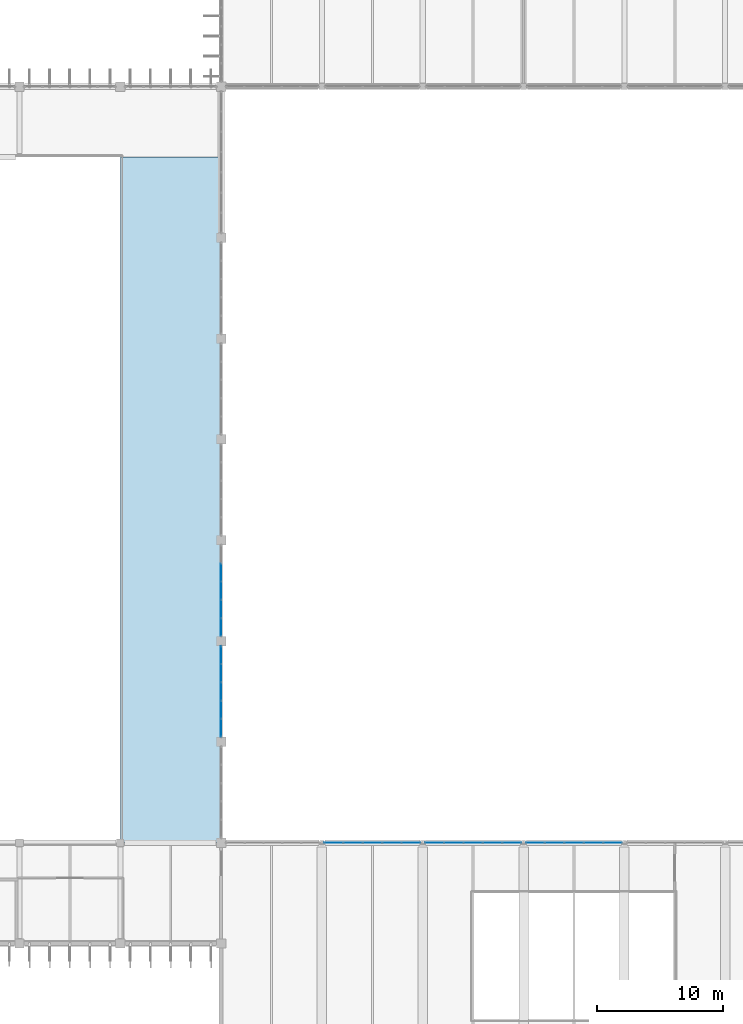
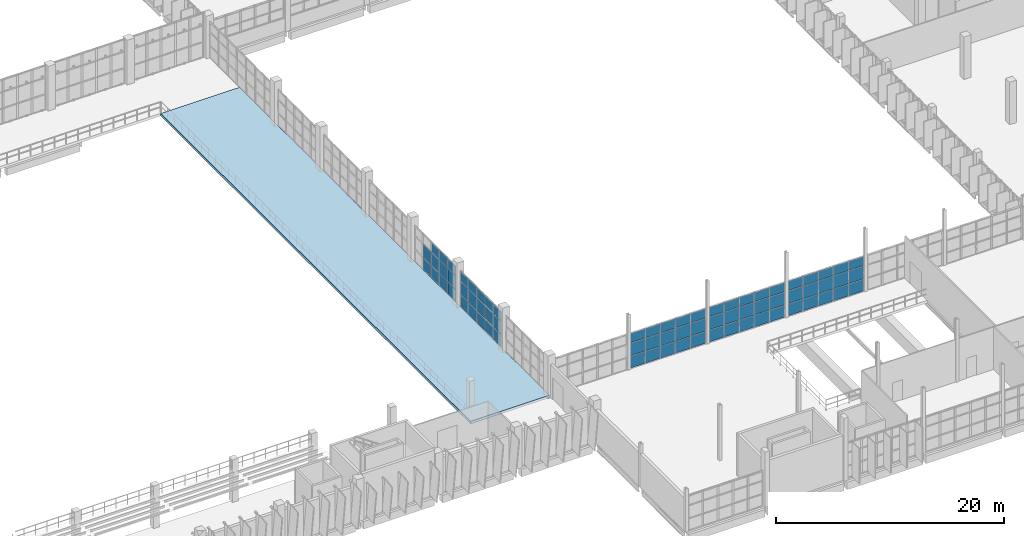
# One storey, part 53 of 93: 71 plates, 1 slab, 5 elements without a shape of their own.
"""IFC4 building model written with IfcOpenShell, lengths in metres."""

from ifc_helpers import new_model, si_unit, direction, frame, origin, origin_2d, place, context, subcontext, project, spatial, polyline, rectangle, outline, extrude, material, layer, layer_set, type_object, element, aggregate, save


model = new_model("IFC4")

# Units and contexts
model_context = context("Model", 3, precision=1e-05, world=origin(), true_north=direction((0.0, 1.0)))
body_context = subcontext(model_context, "Body", "Model", "MODEL_VIEW")
ifc_project = project(units=[si_unit("LENGTHUNIT", "METRE"), si_unit("AREAUNIT", "SQUARE_METRE"), si_unit("VOLUMEUNIT", "CUBIC_METRE"), si_unit("PLANEANGLEUNIT", "RADIAN"), si_unit("MASSUNIT", "GRAM", prefix="KILO")], contexts=[model_context])

# Site, building, storey
site_placement = place(None, origin())
site = spatial("IfcSite", under=ifc_project, at=site_placement, CompositionType="ELEMENT")
building_placement = place(site_placement, origin())
building = spatial("IfcBuilding", under=site, at=building_placement, Name="Drelvana Railside Aquatics Centre", CompositionType="ELEMENT")
storey_placement = place(building_placement, frame((0.0, 0.0, 5.39990234375)))
storey = spatial("IfcBuildingStorey", under=building, at=storey_placement, Name="L01", CompositionType="ELEMENT", Elevation=5.39990234375)

# Curtain wall, plates
ifc_material_1 = material(Name="Bronze-anodised aluminium curtain wall", Category="aluminium")
ifc_layer_1 = layer(ifc_material_1, 0.1650390625, Name="Bronze-anodised aluminium curtain wall")
ifc_layer_set_1 = layer_set([ifc_layer_1], Name="Bronze-anodised aluminium curtain wall")
curtain_wall_type = type_object("IfcCurtainWallType", Name="CW-Z5-COURT", PredefinedType="NOTDEFINED", material=ifc_layer_set_1)
curtain_wall_1_placement = place(storey_placement, origin())
curtain_wall_1 = element("IfcCurtainWall", 1, at=curtain_wall_1_placement, inside=storey, type_object=curtain_wall_type, Name="Curtain wall CW-05-060", PredefinedType="NOTDEFINED")
ifc_material_2 = material(Name="Double-glazed low-e solar-control glass", Category="glass")
ifc_layer_2 = layer(ifc_material_2, 0.02587890625, Name="Double-glazed low-e solar-control glass")
ifc_layer_set_2 = layer_set([ifc_layer_2], Name="Double-glazed low-e solar-control glass")
plate_type = type_object("IfcPlateType", Name="CW-Z5-COURT-PAN", PredefinedType="CURTAIN_PANEL", material=ifc_layer_set_2)
plate_1_placement = place(storey_placement, frame((96.0, 33.110107421875, 0.049072265625), z_axis=(0.0, 0.0, 1.0), x_axis=(0.0, 1.0, 0.0)))
plate_1 = element("IfcPlate", 2, at=plate_1_placement, type_object=plate_type, Name="CW-05 panel 1.1", PredefinedType="CURTAIN_PANEL", context=body_context, shape_type="SweptSolid", body=[
    extrude(rectangle(XDim=1.372314453125, YDim=0.02587890625, at=origin_2d()), origin(), (0.0, 0.0, 1.0), 1.287109375),
])
plate_2_placement = place(storey_placement, frame((96.0, 33.110107421875, 1.385986328125), z_axis=(0.0, 0.0, 1.0), x_axis=(0.0, 1.0, 0.0)))
plate_2 = element("IfcPlate", 3, at=plate_2_placement, type_object=plate_type, Name="CW-05 panel 1.2", PredefinedType="CURTAIN_PANEL", context=body_context, shape_type="SweptSolid", body=[
    extrude(rectangle(XDim=1.372314453125, YDim=0.02587890625, at=origin_2d()), origin(), (0.0, 0.0, 1.0), 1.39501953125),
])
plate_3_placement = place(storey_placement, frame((96.0, 33.110107421875, 2.8310546875), z_axis=(0.0, 0.0, 1.0), x_axis=(0.0, 1.0, 0.0)))
plate_3 = element("IfcPlate", 4, at=plate_3_placement, type_object=plate_type, Name="CW-05 panel 1.3", PredefinedType="CURTAIN_PANEL", context=body_context, shape_type="SweptSolid", body=[
    extrude(rectangle(XDim=1.372314453125, YDim=0.02587890625, at=origin_2d()), origin(), (0.0, 0.0, 1.0), 1.013916015625),
])
plate_4_placement = place(storey_placement, frame((96.0, 34.547607421875, 0.049072265625), z_axis=(0.0, 0.0, 1.0), x_axis=(0.0, 1.0, 0.0)))
plate_4 = element("IfcPlate", 5, at=plate_4_placement, type_object=plate_type, Name="CW-05 panel 2.1", PredefinedType="CURTAIN_PANEL", context=body_context, shape_type="SweptSolid", body=[
    extrude(rectangle(XDim=1.40234375, YDim=0.02587890625, at=origin_2d()), origin(), (0.0, 0.0, 1.0), 1.287109375),
])
plate_5_placement = place(storey_placement, frame((96.0, 34.547607421875, 1.385986328125), z_axis=(0.0, 0.0, 1.0), x_axis=(0.0, 1.0, 0.0)))
plate_5 = element("IfcPlate", 6, at=plate_5_placement, type_object=plate_type, Name="CW-05 panel 2.2", PredefinedType="CURTAIN_PANEL", context=body_context, shape_type="SweptSolid", body=[
    extrude(rectangle(XDim=1.40234375, YDim=0.02587890625, at=origin_2d()), origin(), (0.0, 0.0, 1.0), 1.39501953125),
])
plate_6_placement = place(storey_placement, frame((96.0, 34.547607421875, 2.8310546875), z_axis=(0.0, 0.0, 1.0), x_axis=(0.0, 1.0, 0.0)))
plate_6 = element("IfcPlate", 7, at=plate_6_placement, type_object=plate_type, Name="CW-05 panel 2.3", PredefinedType="CURTAIN_PANEL", context=body_context, shape_type="SweptSolid", body=[
    extrude(rectangle(XDim=1.40234375, YDim=0.02587890625, at=origin_2d()), origin(), (0.0, 0.0, 1.0), 1.013916015625),
])
plate_7_placement = place(storey_placement, frame((96.0, 36.0, 0.049072265625), z_axis=(0.0, 0.0, 1.0), x_axis=(0.0, 1.0, 0.0)))
plate_7 = element("IfcPlate", 8, at=plate_7_placement, type_object=plate_type, Name="CW-05 panel 3.1", PredefinedType="CURTAIN_PANEL", context=body_context, shape_type="SweptSolid", body=[
    extrude(rectangle(XDim=1.40234375, YDim=0.02587890625, at=origin_2d()), origin(), (0.0, 0.0, 1.0), 1.287109375),
])
plate_8_placement = place(storey_placement, frame((96.0, 36.0, 1.385986328125), z_axis=(0.0, 0.0, 1.0), x_axis=(0.0, 1.0, 0.0)))
plate_8 = element("IfcPlate", 9, at=plate_8_placement, type_object=plate_type, Name="CW-05 panel 3.2", PredefinedType="CURTAIN_PANEL", context=body_context, shape_type="SweptSolid", body=[
    extrude(rectangle(XDim=1.40234375, YDim=0.02587890625, at=origin_2d()), origin(), (0.0, 0.0, 1.0), 1.39501953125),
])
plate_9_placement = place(storey_placement, frame((96.0, 36.0, 2.8310546875), z_axis=(0.0, 0.0, 1.0), x_axis=(0.0, 1.0, 0.0)))
plate_9 = element("IfcPlate", 10, at=plate_9_placement, type_object=plate_type, Name="CW-05 panel 3.3", PredefinedType="CURTAIN_PANEL", context=body_context, shape_type="SweptSolid", body=[
    extrude(rectangle(XDim=1.40234375, YDim=0.02587890625, at=origin_2d()), origin(), (0.0, 0.0, 1.0), 1.013916015625),
])
plate_10_placement = place(storey_placement, frame((96.0, 37.452392578125, 0.049072265625), z_axis=(0.0, 0.0, 1.0), x_axis=(0.0, 1.0, 0.0)))
plate_10 = element("IfcPlate", 11, at=plate_10_placement, type_object=plate_type, Name="CW-05 panel 4.1", PredefinedType="CURTAIN_PANEL", context=body_context, shape_type="SweptSolid", body=[
    extrude(rectangle(XDim=1.40234375, YDim=0.02587890625, at=origin_2d()), origin(), (0.0, 0.0, 1.0), 1.287109375),
])
plate_11_placement = place(storey_placement, frame((96.0, 37.452392578125, 1.385986328125), z_axis=(0.0, 0.0, 1.0), x_axis=(0.0, 1.0, 0.0)))
plate_11 = element("IfcPlate", 12, at=plate_11_placement, type_object=plate_type, Name="CW-05 panel 4.2", PredefinedType="CURTAIN_PANEL", context=body_context, shape_type="SweptSolid", body=[
    extrude(rectangle(XDim=1.40234375, YDim=0.02587890625, at=origin_2d()), origin(), (0.0, 0.0, 1.0), 1.39501953125),
])
plate_12_placement = place(storey_placement, frame((96.0, 37.452392578125, 2.8310546875), z_axis=(0.0, 0.0, 1.0), x_axis=(0.0, 1.0, 0.0)))
plate_12 = element("IfcPlate", 13, at=plate_12_placement, type_object=plate_type, Name="CW-05 panel 4.3", PredefinedType="CURTAIN_PANEL", context=body_context, shape_type="SweptSolid", body=[
    extrude(rectangle(XDim=1.40234375, YDim=0.02587890625, at=origin_2d()), origin(), (0.0, 0.0, 1.0), 1.013916015625),
])
plate_13_placement = place(storey_placement, frame((96.0, 38.889892578125, 0.049072265625), z_axis=(0.0, 0.0, 1.0), x_axis=(0.0, 1.0, 0.0)))
plate_13 = element("IfcPlate", 14, at=plate_13_placement, type_object=plate_type, Name="CW-05 panel 5.1", PredefinedType="CURTAIN_PANEL", context=body_context, shape_type="SweptSolid", body=[
    extrude(rectangle(XDim=1.372314453125, YDim=0.02587890625, at=origin_2d()), origin(), (0.0, 0.0, 1.0), 1.287109375),
])
plate_14_placement = place(storey_placement, frame((96.0, 38.889892578125, 1.385986328125), z_axis=(0.0, 0.0, 1.0), x_axis=(0.0, 1.0, 0.0)))
plate_14 = element("IfcPlate", 15, at=plate_14_placement, type_object=plate_type, Name="CW-05 panel 5.2", PredefinedType="CURTAIN_PANEL", context=body_context, shape_type="SweptSolid", body=[
    extrude(rectangle(XDim=1.372314453125, YDim=0.02587890625, at=origin_2d()), origin(), (0.0, 0.0, 1.0), 1.39501953125),
])
plate_15_placement = place(storey_placement, frame((96.0, 38.889892578125, 2.8310546875), z_axis=(0.0, 0.0, 1.0), x_axis=(0.0, 1.0, 0.0)))
plate_15 = element("IfcPlate", 16, at=plate_15_placement, type_object=plate_type, Name="CW-05 panel 5.3", PredefinedType="CURTAIN_PANEL", context=body_context, shape_type="SweptSolid", body=[
    extrude(rectangle(XDim=1.372314453125, YDim=0.02587890625, at=origin_2d()), origin(), (0.0, 0.0, 1.0), 1.013916015625),
])
aggregate(curtain_wall_1, [plate_1, plate_2, plate_3, plate_4, plate_5, plate_6, plate_7, plate_8, plate_9, plate_10, plate_11, plate_12, plate_13, plate_14, plate_15])

curtain_wall_2_placement = place(storey_placement, origin())
curtain_wall_2 = element("IfcCurtainWall", 17, at=curtain_wall_2_placement, inside=storey, type_object=curtain_wall_type, Name="Curtain wall CW-05-064", PredefinedType="NOTDEFINED")
plate_16_placement = place(storey_placement, frame((96.0, 41.110107421875, 0.049072265625), z_axis=(0.0, 0.0, 1.0), x_axis=(0.0, 1.0, 0.0)))
plate_16 = element("IfcPlate", 18, at=plate_16_placement, type_object=plate_type, Name="CW-05 panel 1.1", PredefinedType="CURTAIN_PANEL", context=body_context, shape_type="SweptSolid", body=[
    extrude(rectangle(XDim=1.372314453125, YDim=0.02587890625, at=origin_2d()), origin(), (0.0, 0.0, 1.0), 1.287109375),
])
plate_17_placement = place(storey_placement, frame((96.0, 41.110107421875, 1.385986328125), z_axis=(0.0, 0.0, 1.0), x_axis=(0.0, 1.0, 0.0)))
plate_17 = element("IfcPlate", 19, at=plate_17_placement, type_object=plate_type, Name="CW-05 panel 1.2", PredefinedType="CURTAIN_PANEL", context=body_context, shape_type="SweptSolid", body=[
    extrude(rectangle(XDim=1.372314453125, YDim=0.02587890625, at=origin_2d()), origin(), (0.0, 0.0, 1.0), 1.39501953125),
])
plate_18_placement = place(storey_placement, frame((96.0, 41.110107421875, 2.8310546875), z_axis=(0.0, 0.0, 1.0), x_axis=(0.0, 1.0, 0.0)))
plate_18 = element("IfcPlate", 20, at=plate_18_placement, type_object=plate_type, Name="CW-05 panel 1.3", PredefinedType="CURTAIN_PANEL", context=body_context, shape_type="SweptSolid", body=[
    extrude(rectangle(XDim=1.372314453125, YDim=0.02587890625, at=origin_2d()), origin(), (0.0, 0.0, 1.0), 1.013916015625),
])
plate_19_placement = place(storey_placement, frame((96.0, 42.547607421875, 0.049072265625), z_axis=(0.0, 0.0, 1.0), x_axis=(0.0, 1.0, 0.0)))
plate_19 = element("IfcPlate", 21, at=plate_19_placement, type_object=plate_type, Name="CW-05 panel 2.1", PredefinedType="CURTAIN_PANEL", context=body_context, shape_type="SweptSolid", body=[
    extrude(rectangle(XDim=1.40234375, YDim=0.02587890625, at=origin_2d()), origin(), (0.0, 0.0, 1.0), 1.287109375),
])
plate_20_placement = place(storey_placement, frame((96.0, 42.547607421875, 1.385986328125), z_axis=(0.0, 0.0, 1.0), x_axis=(0.0, 1.0, 0.0)))
plate_20 = element("IfcPlate", 22, at=plate_20_placement, type_object=plate_type, Name="CW-05 panel 2.2", PredefinedType="CURTAIN_PANEL", context=body_context, shape_type="SweptSolid", body=[
    extrude(rectangle(XDim=1.40234375, YDim=0.02587890625, at=origin_2d()), origin(), (0.0, 0.0, 1.0), 1.39501953125),
])
plate_21_placement = place(storey_placement, frame((96.0, 42.547607421875, 2.8310546875), z_axis=(0.0, 0.0, 1.0), x_axis=(0.0, 1.0, 0.0)))
plate_21 = element("IfcPlate", 23, at=plate_21_placement, type_object=plate_type, Name="CW-05 panel 2.3", PredefinedType="CURTAIN_PANEL", context=body_context, shape_type="SweptSolid", body=[
    extrude(rectangle(XDim=1.40234375, YDim=0.02587890625, at=origin_2d()), origin(), (0.0, 0.0, 1.0), 1.013916015625),
])
plate_22_placement = place(storey_placement, frame((96.0, 44.0, 0.049072265625), z_axis=(0.0, 0.0, 1.0), x_axis=(0.0, 1.0, 0.0)))
plate_22 = element("IfcPlate", 24, at=plate_22_placement, type_object=plate_type, Name="CW-05 panel 3.1", PredefinedType="CURTAIN_PANEL", context=body_context, shape_type="SweptSolid", body=[
    extrude(rectangle(XDim=1.40234375, YDim=0.02587890625, at=origin_2d()), origin(), (0.0, 0.0, 1.0), 1.287109375),
])
plate_23_placement = place(storey_placement, frame((96.0, 44.0, 1.385986328125), z_axis=(0.0, 0.0, 1.0), x_axis=(0.0, 1.0, 0.0)))
plate_23 = element("IfcPlate", 25, at=plate_23_placement, type_object=plate_type, Name="CW-05 panel 3.2", PredefinedType="CURTAIN_PANEL", context=body_context, shape_type="SweptSolid", body=[
    extrude(rectangle(XDim=1.40234375, YDim=0.02587890625, at=origin_2d()), origin(), (0.0, 0.0, 1.0), 1.39501953125),
])
plate_24_placement = place(storey_placement, frame((96.0, 44.0, 2.8310546875), z_axis=(0.0, 0.0, 1.0), x_axis=(0.0, 1.0, 0.0)))
plate_24 = element("IfcPlate", 26, at=plate_24_placement, type_object=plate_type, Name="CW-05 panel 3.3", PredefinedType="CURTAIN_PANEL", context=body_context, shape_type="SweptSolid", body=[
    extrude(rectangle(XDim=1.40234375, YDim=0.02587890625, at=origin_2d()), origin(), (0.0, 0.0, 1.0), 1.013916015625),
])
plate_25_placement = place(storey_placement, frame((96.0, 45.452392578125, 0.049072265625), z_axis=(0.0, 0.0, 1.0), x_axis=(0.0, 1.0, 0.0)))
plate_25 = element("IfcPlate", 27, at=plate_25_placement, type_object=plate_type, Name="CW-05 panel 4.1", PredefinedType="CURTAIN_PANEL", context=body_context, shape_type="SweptSolid", body=[
    extrude(rectangle(XDim=1.40234375, YDim=0.02587890625, at=origin_2d()), origin(), (0.0, 0.0, 1.0), 1.287109375),
])
plate_26_placement = place(storey_placement, frame((96.0, 45.452392578125, 1.385986328125), z_axis=(0.0, 0.0, 1.0), x_axis=(0.0, 1.0, 0.0)))
plate_26 = element("IfcPlate", 28, at=plate_26_placement, type_object=plate_type, Name="CW-05 panel 4.2", PredefinedType="CURTAIN_PANEL", context=body_context, shape_type="SweptSolid", body=[
    extrude(rectangle(XDim=1.40234375, YDim=0.02587890625, at=origin_2d()), origin(), (0.0, 0.0, 1.0), 1.39501953125),
])
aggregate(curtain_wall_2, [plate_16, plate_17, plate_18, plate_19, plate_20, plate_21, plate_22, plate_23, plate_24, plate_25, plate_26])

curtain_wall_3_placement = place(storey_placement, origin())
curtain_wall_3 = element("IfcCurtainWall", 29, at=curtain_wall_3_placement, inside=storey, type_object=curtain_wall_type, Name="Curtain wall CW-05-103", PredefinedType="NOTDEFINED")
plate_27_placement = place(storey_placement, frame((104.93017578125, 24.0, 0.049072265625), z_axis=(0.0, 0.0, 1.0), x_axis=(1.0, 0.0, 0.0)))
plate_27 = element("IfcPlate", 30, at=plate_27_placement, type_object=plate_type, Name="CW-05 panel 1.1", PredefinedType="CURTAIN_PANEL", context=body_context, shape_type="SweptSolid", body=[
    extrude(rectangle(XDim=1.46240234375, YDim=0.02587890625, at=origin_2d()), origin(), (0.0, 0.0, 1.0), 1.251953125),
])
plate_28_placement = place(storey_placement, frame((104.93017578125, 24.0, 1.35107421875), z_axis=(0.0, 0.0, 1.0), x_axis=(1.0, 0.0, 0.0)))
plate_28 = element("IfcPlate", 31, at=plate_28_placement, type_object=plate_type, Name="CW-05 panel 1.2", PredefinedType="CURTAIN_PANEL", context=body_context, shape_type="SweptSolid", body=[
    extrude(rectangle(XDim=1.46240234375, YDim=0.02587890625, at=origin_2d()), origin(), (0.0, 0.0, 1.0), 1.35791015625),
])
plate_29_placement = place(storey_placement, frame((104.93017578125, 24.0, 2.75927734375), z_axis=(0.0, 0.0, 1.0), x_axis=(1.0, 0.0, 0.0)))
plate_29 = element("IfcPlate", 32, at=plate_29_placement, type_object=plate_type, Name="CW-05 panel 1.3", PredefinedType="CURTAIN_PANEL", context=body_context, shape_type="SweptSolid", body=[
    extrude(rectangle(XDim=1.46240234375, YDim=0.02587890625, at=origin_2d()), origin(), (0.0, 0.0, 1.0), 0.986083984375),
])
plate_30_placement = place(storey_placement, frame((106.45751953125, 24.0, 0.049072265625), z_axis=(0.0, 0.0, 1.0), x_axis=(1.0, 0.0, 0.0)))
plate_30 = element("IfcPlate", 33, at=plate_30_placement, type_object=plate_type, Name="CW-05 panel 2.1", PredefinedType="CURTAIN_PANEL", context=body_context, shape_type="SweptSolid", body=[
    extrude(rectangle(XDim=1.492431640625, YDim=0.02587890625, at=origin_2d()), origin(), (0.0, 0.0, 1.0), 1.251953125),
])
plate_31_placement = place(storey_placement, frame((106.45751953125, 24.0, 1.35107421875), z_axis=(0.0, 0.0, 1.0), x_axis=(1.0, 0.0, 0.0)))
plate_31 = element("IfcPlate", 34, at=plate_31_placement, type_object=plate_type, Name="CW-05 panel 2.2", PredefinedType="CURTAIN_PANEL", context=body_context, shape_type="SweptSolid", body=[
    extrude(rectangle(XDim=1.492431640625, YDim=0.02587890625, at=origin_2d()), origin(), (0.0, 0.0, 1.0), 1.35791015625),
])
plate_32_placement = place(storey_placement, frame((106.45751953125, 24.0, 2.75927734375), z_axis=(0.0, 0.0, 1.0), x_axis=(1.0, 0.0, 0.0)))
plate_32 = element("IfcPlate", 35, at=plate_32_placement, type_object=plate_type, Name="CW-05 panel 2.3", PredefinedType="CURTAIN_PANEL", context=body_context, shape_type="SweptSolid", body=[
    extrude(rectangle(XDim=1.492431640625, YDim=0.02587890625, at=origin_2d()), origin(), (0.0, 0.0, 1.0), 0.986083984375),
])
plate_33_placement = place(storey_placement, frame((108.0, 24.0, 0.049072265625), z_axis=(0.0, 0.0, 1.0), x_axis=(1.0, 0.0, 0.0)))
plate_33 = element("IfcPlate", 36, at=plate_33_placement, type_object=plate_type, Name="CW-05 panel 3.1", PredefinedType="CURTAIN_PANEL", context=body_context, shape_type="SweptSolid", body=[
    extrude(rectangle(XDim=1.492431640625, YDim=0.02587890625, at=origin_2d()), origin(), (0.0, 0.0, 1.0), 1.251953125),
])
plate_34_placement = place(storey_placement, frame((108.0, 24.0, 1.35107421875), z_axis=(0.0, 0.0, 1.0), x_axis=(1.0, 0.0, 0.0)))
plate_34 = element("IfcPlate", 37, at=plate_34_placement, type_object=plate_type, Name="CW-05 panel 3.2", PredefinedType="CURTAIN_PANEL", context=body_context, shape_type="SweptSolid", body=[
    extrude(rectangle(XDim=1.492431640625, YDim=0.02587890625, at=origin_2d()), origin(), (0.0, 0.0, 1.0), 1.35791015625),
])
plate_35_placement = place(storey_placement, frame((108.0, 24.0, 2.75927734375), z_axis=(0.0, 0.0, 1.0), x_axis=(1.0, 0.0, 0.0)))
plate_35 = element("IfcPlate", 38, at=plate_35_placement, type_object=plate_type, Name="CW-05 panel 3.3", PredefinedType="CURTAIN_PANEL", context=body_context, shape_type="SweptSolid", body=[
    extrude(rectangle(XDim=1.492431640625, YDim=0.02587890625, at=origin_2d()), origin(), (0.0, 0.0, 1.0), 0.986083984375),
])
plate_36_placement = place(storey_placement, frame((109.54248046875, 24.0, 0.049072265625), z_axis=(0.0, 0.0, 1.0), x_axis=(1.0, 0.0, 0.0)))
plate_36 = element("IfcPlate", 39, at=plate_36_placement, type_object=plate_type, Name="CW-05 panel 4.1", PredefinedType="CURTAIN_PANEL", context=body_context, shape_type="SweptSolid", body=[
    extrude(rectangle(XDim=1.492431640625, YDim=0.02587890625, at=origin_2d()), origin(), (0.0, 0.0, 1.0), 1.251953125),
])
plate_37_placement = place(storey_placement, frame((109.54248046875, 24.0, 1.35107421875), z_axis=(0.0, 0.0, 1.0), x_axis=(1.0, 0.0, 0.0)))
plate_37 = element("IfcPlate", 40, at=plate_37_placement, type_object=plate_type, Name="CW-05 panel 4.2", PredefinedType="CURTAIN_PANEL", context=body_context, shape_type="SweptSolid", body=[
    extrude(rectangle(XDim=1.492431640625, YDim=0.02587890625, at=origin_2d()), origin(), (0.0, 0.0, 1.0), 1.35791015625),
])
plate_38_placement = place(storey_placement, frame((109.54248046875, 24.0, 2.75927734375), z_axis=(0.0, 0.0, 1.0), x_axis=(1.0, 0.0, 0.0)))
plate_38 = element("IfcPlate", 41, at=plate_38_placement, type_object=plate_type, Name="CW-05 panel 4.3", PredefinedType="CURTAIN_PANEL", context=body_context, shape_type="SweptSolid", body=[
    extrude(rectangle(XDim=1.492431640625, YDim=0.02587890625, at=origin_2d()), origin(), (0.0, 0.0, 1.0), 0.986083984375),
])
plate_39_placement = place(storey_placement, frame((111.06982421875, 24.0, 0.049072265625), z_axis=(0.0, 0.0, 1.0), x_axis=(1.0, 0.0, 0.0)))
plate_39 = element("IfcPlate", 42, at=plate_39_placement, type_object=plate_type, Name="CW-05 panel 5.1", PredefinedType="CURTAIN_PANEL", context=body_context, shape_type="SweptSolid", body=[
    extrude(rectangle(XDim=1.46240234375, YDim=0.02587890625, at=origin_2d()), origin(), (0.0, 0.0, 1.0), 1.251953125),
])
plate_40_placement = place(storey_placement, frame((111.06982421875, 24.0, 1.35107421875), z_axis=(0.0, 0.0, 1.0), x_axis=(1.0, 0.0, 0.0)))
plate_40 = element("IfcPlate", 43, at=plate_40_placement, type_object=plate_type, Name="CW-05 panel 5.2", PredefinedType="CURTAIN_PANEL", context=body_context, shape_type="SweptSolid", body=[
    extrude(rectangle(XDim=1.46240234375, YDim=0.02587890625, at=origin_2d()), origin(), (0.0, 0.0, 1.0), 1.35791015625),
])
plate_41_placement = place(storey_placement, frame((111.06982421875, 24.0, 2.75927734375), z_axis=(0.0, 0.0, 1.0), x_axis=(1.0, 0.0, 0.0)))
plate_41 = element("IfcPlate", 44, at=plate_41_placement, type_object=plate_type, Name="CW-05 panel 5.3", PredefinedType="CURTAIN_PANEL", context=body_context, shape_type="SweptSolid", body=[
    extrude(rectangle(XDim=1.46240234375, YDim=0.02587890625, at=origin_2d()), origin(), (0.0, 0.0, 1.0), 0.986083984375),
])
aggregate(curtain_wall_3, [plate_27, plate_28, plate_29, plate_30, plate_31, plate_32, plate_33, plate_34, plate_35, plate_36, plate_37, plate_38, plate_39, plate_40, plate_41])

curtain_wall_4_placement = place(storey_placement, origin())
curtain_wall_4 = element("IfcCurtainWall", 45, at=curtain_wall_4_placement, inside=storey, type_object=curtain_wall_type, Name="Curtain wall CW-05-107", PredefinedType="NOTDEFINED")
plate_42_placement = place(storey_placement, frame((112.93017578125, 24.0, 0.049072265625), z_axis=(0.0, 0.0, 1.0), x_axis=(1.0, 0.0, 0.0)))
plate_42 = element("IfcPlate", 46, at=plate_42_placement, type_object=plate_type, Name="CW-05 panel 1.1", PredefinedType="CURTAIN_PANEL", context=body_context, shape_type="SweptSolid", body=[
    extrude(rectangle(XDim=1.46240234375, YDim=0.02587890625, at=origin_2d()), origin(), (0.0, 0.0, 1.0), 1.251953125),
])
plate_43_placement = place(storey_placement, frame((112.93017578125, 24.0, 1.35107421875), z_axis=(0.0, 0.0, 1.0), x_axis=(1.0, 0.0, 0.0)))
plate_43 = element("IfcPlate", 47, at=plate_43_placement, type_object=plate_type, Name="CW-05 panel 1.2", PredefinedType="CURTAIN_PANEL", context=body_context, shape_type="SweptSolid", body=[
    extrude(rectangle(XDim=1.46240234375, YDim=0.02587890625, at=origin_2d()), origin(), (0.0, 0.0, 1.0), 1.35791015625),
])
plate_44_placement = place(storey_placement, frame((112.93017578125, 24.0, 2.75927734375), z_axis=(0.0, 0.0, 1.0), x_axis=(1.0, 0.0, 0.0)))
plate_44 = element("IfcPlate", 48, at=plate_44_placement, type_object=plate_type, Name="CW-05 panel 1.3", PredefinedType="CURTAIN_PANEL", context=body_context, shape_type="SweptSolid", body=[
    extrude(rectangle(XDim=1.46240234375, YDim=0.02587890625, at=origin_2d()), origin(), (0.0, 0.0, 1.0), 0.986083984375),
])
plate_45_placement = place(storey_placement, frame((114.45751953125, 24.0, 0.049072265625), z_axis=(0.0, 0.0, 1.0), x_axis=(1.0, 0.0, 0.0)))
plate_45 = element("IfcPlate", 49, at=plate_45_placement, type_object=plate_type, Name="CW-05 panel 2.1", PredefinedType="CURTAIN_PANEL", context=body_context, shape_type="SweptSolid", body=[
    extrude(rectangle(XDim=1.492431640625, YDim=0.02587890625, at=origin_2d()), origin(), (0.0, 0.0, 1.0), 1.251953125),
])
plate_46_placement = place(storey_placement, frame((114.45751953125, 24.0, 1.35107421875), z_axis=(0.0, 0.0, 1.0), x_axis=(1.0, 0.0, 0.0)))
plate_46 = element("IfcPlate", 50, at=plate_46_placement, type_object=plate_type, Name="CW-05 panel 2.2", PredefinedType="CURTAIN_PANEL", context=body_context, shape_type="SweptSolid", body=[
    extrude(rectangle(XDim=1.492431640625, YDim=0.02587890625, at=origin_2d()), origin(), (0.0, 0.0, 1.0), 1.35791015625),
])
plate_47_placement = place(storey_placement, frame((114.45751953125, 24.0, 2.75927734375), z_axis=(0.0, 0.0, 1.0), x_axis=(1.0, 0.0, 0.0)))
plate_47 = element("IfcPlate", 51, at=plate_47_placement, type_object=plate_type, Name="CW-05 panel 2.3", PredefinedType="CURTAIN_PANEL", context=body_context, shape_type="SweptSolid", body=[
    extrude(rectangle(XDim=1.492431640625, YDim=0.02587890625, at=origin_2d()), origin(), (0.0, 0.0, 1.0), 0.986083984375),
])
plate_48_placement = place(storey_placement, frame((116.0, 24.0, 0.049072265625), z_axis=(0.0, 0.0, 1.0), x_axis=(1.0, 0.0, 0.0)))
plate_48 = element("IfcPlate", 52, at=plate_48_placement, type_object=plate_type, Name="CW-05 panel 3.1", PredefinedType="CURTAIN_PANEL", context=body_context, shape_type="SweptSolid", body=[
    extrude(rectangle(XDim=1.492431640625, YDim=0.02587890625, at=origin_2d()), origin(), (0.0, 0.0, 1.0), 1.251953125),
])
plate_49_placement = place(storey_placement, frame((116.0, 24.0, 1.35107421875), z_axis=(0.0, 0.0, 1.0), x_axis=(1.0, 0.0, 0.0)))
plate_49 = element("IfcPlate", 53, at=plate_49_placement, type_object=plate_type, Name="CW-05 panel 3.2", PredefinedType="CURTAIN_PANEL", context=body_context, shape_type="SweptSolid", body=[
    extrude(rectangle(XDim=1.492431640625, YDim=0.02587890625, at=origin_2d()), origin(), (0.0, 0.0, 1.0), 1.35791015625),
])
plate_50_placement = place(storey_placement, frame((116.0, 24.0, 2.75927734375), z_axis=(0.0, 0.0, 1.0), x_axis=(1.0, 0.0, 0.0)))
plate_50 = element("IfcPlate", 54, at=plate_50_placement, type_object=plate_type, Name="CW-05 panel 3.3", PredefinedType="CURTAIN_PANEL", context=body_context, shape_type="SweptSolid", body=[
    extrude(rectangle(XDim=1.492431640625, YDim=0.02587890625, at=origin_2d()), origin(), (0.0, 0.0, 1.0), 0.986083984375),
])
plate_51_placement = place(storey_placement, frame((117.54248046875, 24.0, 0.049072265625), z_axis=(0.0, 0.0, 1.0), x_axis=(1.0, 0.0, 0.0)))
plate_51 = element("IfcPlate", 55, at=plate_51_placement, type_object=plate_type, Name="CW-05 panel 4.1", PredefinedType="CURTAIN_PANEL", context=body_context, shape_type="SweptSolid", body=[
    extrude(rectangle(XDim=1.492431640625, YDim=0.02587890625, at=origin_2d()), origin(), (0.0, 0.0, 1.0), 1.251953125),
])
plate_52_placement = place(storey_placement, frame((117.54248046875, 24.0, 1.35107421875), z_axis=(0.0, 0.0, 1.0), x_axis=(1.0, 0.0, 0.0)))
plate_52 = element("IfcPlate", 56, at=plate_52_placement, type_object=plate_type, Name="CW-05 panel 4.2", PredefinedType="CURTAIN_PANEL", context=body_context, shape_type="SweptSolid", body=[
    extrude(rectangle(XDim=1.492431640625, YDim=0.02587890625, at=origin_2d()), origin(), (0.0, 0.0, 1.0), 1.35791015625),
])
plate_53_placement = place(storey_placement, frame((117.54248046875, 24.0, 2.75927734375), z_axis=(0.0, 0.0, 1.0), x_axis=(1.0, 0.0, 0.0)))
plate_53 = element("IfcPlate", 57, at=plate_53_placement, type_object=plate_type, Name="CW-05 panel 4.3", PredefinedType="CURTAIN_PANEL", context=body_context, shape_type="SweptSolid", body=[
    extrude(rectangle(XDim=1.492431640625, YDim=0.02587890625, at=origin_2d()), origin(), (0.0, 0.0, 1.0), 0.986083984375),
])
plate_54_placement = place(storey_placement, frame((119.06982421875, 24.0, 0.049072265625), z_axis=(0.0, 0.0, 1.0), x_axis=(1.0, 0.0, 0.0)))
plate_54 = element("IfcPlate", 58, at=plate_54_placement, type_object=plate_type, Name="CW-05 panel 5.1", PredefinedType="CURTAIN_PANEL", context=body_context, shape_type="SweptSolid", body=[
    extrude(rectangle(XDim=1.46240234375, YDim=0.02587890625, at=origin_2d()), origin(), (0.0, 0.0, 1.0), 1.251953125),
])
plate_55_placement = place(storey_placement, frame((119.06982421875, 24.0, 1.35107421875), z_axis=(0.0, 0.0, 1.0), x_axis=(1.0, 0.0, 0.0)))
plate_55 = element("IfcPlate", 59, at=plate_55_placement, type_object=plate_type, Name="CW-05 panel 5.2", PredefinedType="CURTAIN_PANEL", context=body_context, shape_type="SweptSolid", body=[
    extrude(rectangle(XDim=1.46240234375, YDim=0.02587890625, at=origin_2d()), origin(), (0.0, 0.0, 1.0), 1.35791015625),
])
plate_56_placement = place(storey_placement, frame((119.06982421875, 24.0, 2.75927734375), z_axis=(0.0, 0.0, 1.0), x_axis=(1.0, 0.0, 0.0)))
plate_56 = element("IfcPlate", 60, at=plate_56_placement, type_object=plate_type, Name="CW-05 panel 5.3", PredefinedType="CURTAIN_PANEL", context=body_context, shape_type="SweptSolid", body=[
    extrude(rectangle(XDim=1.46240234375, YDim=0.02587890625, at=origin_2d()), origin(), (0.0, 0.0, 1.0), 0.986083984375),
])
aggregate(curtain_wall_4, [plate_42, plate_43, plate_44, plate_45, plate_46, plate_47, plate_48, plate_49, plate_50, plate_51, plate_52, plate_53, plate_54, plate_55, plate_56])

curtain_wall_5_placement = place(storey_placement, origin())
curtain_wall_5 = element("IfcCurtainWall", 61, at=curtain_wall_5_placement, inside=storey, type_object=curtain_wall_type, Name="Curtain wall CW-05-109", PredefinedType="NOTDEFINED")
plate_57_placement = place(storey_placement, frame((120.93017578125, 24.0, 0.049072265625), z_axis=(0.0, 0.0, 1.0), x_axis=(1.0, 0.0, 0.0)))
plate_57 = element("IfcPlate", 62, at=plate_57_placement, type_object=plate_type, Name="CW-05 panel 1.1", PredefinedType="CURTAIN_PANEL", context=body_context, shape_type="SweptSolid", body=[
    extrude(rectangle(XDim=1.46240234375, YDim=0.02587890625, at=origin_2d()), origin(), (0.0, 0.0, 1.0), 1.251953125),
])
plate_58_placement = place(storey_placement, frame((120.93017578125, 24.0, 1.35107421875), z_axis=(0.0, 0.0, 1.0), x_axis=(1.0, 0.0, 0.0)))
plate_58 = element("IfcPlate", 63, at=plate_58_placement, type_object=plate_type, Name="CW-05 panel 1.2", PredefinedType="CURTAIN_PANEL", context=body_context, shape_type="SweptSolid", body=[
    extrude(rectangle(XDim=1.46240234375, YDim=0.02587890625, at=origin_2d()), origin(), (0.0, 0.0, 1.0), 1.35791015625),
])
plate_59_placement = place(storey_placement, frame((120.93017578125, 24.0, 2.75927734375), z_axis=(0.0, 0.0, 1.0), x_axis=(1.0, 0.0, 0.0)))
plate_59 = element("IfcPlate", 64, at=plate_59_placement, type_object=plate_type, Name="CW-05 panel 1.3", PredefinedType="CURTAIN_PANEL", context=body_context, shape_type="SweptSolid", body=[
    extrude(rectangle(XDim=1.46240234375, YDim=0.02587890625, at=origin_2d()), origin(), (0.0, 0.0, 1.0), 0.986083984375),
])
plate_60_placement = place(storey_placement, frame((122.45751953125, 24.0, 0.049072265625), z_axis=(0.0, 0.0, 1.0), x_axis=(1.0, 0.0, 0.0)))
plate_60 = element("IfcPlate", 65, at=plate_60_placement, type_object=plate_type, Name="CW-05 panel 2.1", PredefinedType="CURTAIN_PANEL", context=body_context, shape_type="SweptSolid", body=[
    extrude(rectangle(XDim=1.492431640625, YDim=0.02587890625, at=origin_2d()), origin(), (0.0, 0.0, 1.0), 1.251953125),
])
plate_61_placement = place(storey_placement, frame((122.45751953125, 24.0, 1.35107421875), z_axis=(0.0, 0.0, 1.0), x_axis=(1.0, 0.0, 0.0)))
plate_61 = element("IfcPlate", 66, at=plate_61_placement, type_object=plate_type, Name="CW-05 panel 2.2", PredefinedType="CURTAIN_PANEL", context=body_context, shape_type="SweptSolid", body=[
    extrude(rectangle(XDim=1.492431640625, YDim=0.02587890625, at=origin_2d()), origin(), (0.0, 0.0, 1.0), 1.35791015625),
])
plate_62_placement = place(storey_placement, frame((122.45751953125, 24.0, 2.75927734375), z_axis=(0.0, 0.0, 1.0), x_axis=(1.0, 0.0, 0.0)))
plate_62 = element("IfcPlate", 67, at=plate_62_placement, type_object=plate_type, Name="CW-05 panel 2.3", PredefinedType="CURTAIN_PANEL", context=body_context, shape_type="SweptSolid", body=[
    extrude(rectangle(XDim=1.492431640625, YDim=0.02587890625, at=origin_2d()), origin(), (0.0, 0.0, 1.0), 0.986083984375),
])
plate_63_placement = place(storey_placement, frame((124.0, 24.0, 0.049072265625), z_axis=(0.0, 0.0, 1.0), x_axis=(1.0, 0.0, 0.0)))
plate_63 = element("IfcPlate", 68, at=plate_63_placement, type_object=plate_type, Name="CW-05 panel 3.1", PredefinedType="CURTAIN_PANEL", context=body_context, shape_type="SweptSolid", body=[
    extrude(rectangle(XDim=1.492431640625, YDim=0.02587890625, at=origin_2d()), origin(), (0.0, 0.0, 1.0), 1.251953125),
])
plate_64_placement = place(storey_placement, frame((124.0, 24.0, 1.35107421875), z_axis=(0.0, 0.0, 1.0), x_axis=(1.0, 0.0, 0.0)))
plate_64 = element("IfcPlate", 69, at=plate_64_placement, type_object=plate_type, Name="CW-05 panel 3.2", PredefinedType="CURTAIN_PANEL", context=body_context, shape_type="SweptSolid", body=[
    extrude(rectangle(XDim=1.492431640625, YDim=0.02587890625, at=origin_2d()), origin(), (0.0, 0.0, 1.0), 1.35791015625),
])
plate_65_placement = place(storey_placement, frame((124.0, 24.0, 2.75927734375), z_axis=(0.0, 0.0, 1.0), x_axis=(1.0, 0.0, 0.0)))
plate_65 = element("IfcPlate", 70, at=plate_65_placement, type_object=plate_type, Name="CW-05 panel 3.3", PredefinedType="CURTAIN_PANEL", context=body_context, shape_type="SweptSolid", body=[
    extrude(rectangle(XDim=1.492431640625, YDim=0.02587890625, at=origin_2d()), origin(), (0.0, 0.0, 1.0), 0.986083984375),
])
plate_66_placement = place(storey_placement, frame((125.54248046875, 24.0, 0.049072265625), z_axis=(0.0, 0.0, 1.0), x_axis=(1.0, 0.0, 0.0)))
plate_66 = element("IfcPlate", 71, at=plate_66_placement, type_object=plate_type, Name="CW-05 panel 4.1", PredefinedType="CURTAIN_PANEL", context=body_context, shape_type="SweptSolid", body=[
    extrude(rectangle(XDim=1.492431640625, YDim=0.02587890625, at=origin_2d()), origin(), (0.0, 0.0, 1.0), 1.251953125),
])
plate_67_placement = place(storey_placement, frame((125.54248046875, 24.0, 1.35107421875), z_axis=(0.0, 0.0, 1.0), x_axis=(1.0, 0.0, 0.0)))
plate_67 = element("IfcPlate", 72, at=plate_67_placement, type_object=plate_type, Name="CW-05 panel 4.2", PredefinedType="CURTAIN_PANEL", context=body_context, shape_type="SweptSolid", body=[
    extrude(rectangle(XDim=1.492431640625, YDim=0.02587890625, at=origin_2d()), origin(), (0.0, 0.0, 1.0), 1.35791015625),
])
plate_68_placement = place(storey_placement, frame((125.54248046875, 24.0, 2.75927734375), z_axis=(0.0, 0.0, 1.0), x_axis=(1.0, 0.0, 0.0)))
plate_68 = element("IfcPlate", 73, at=plate_68_placement, type_object=plate_type, Name="CW-05 panel 4.3", PredefinedType="CURTAIN_PANEL", context=body_context, shape_type="SweptSolid", body=[
    extrude(rectangle(XDim=1.492431640625, YDim=0.02587890625, at=origin_2d()), origin(), (0.0, 0.0, 1.0), 0.986083984375),
])
plate_69_placement = place(storey_placement, frame((127.06982421875, 24.0, 0.049072265625), z_axis=(0.0, 0.0, 1.0), x_axis=(1.0, 0.0, 0.0)))
plate_69 = element("IfcPlate", 74, at=plate_69_placement, type_object=plate_type, Name="CW-05 panel 5.1", PredefinedType="CURTAIN_PANEL", context=body_context, shape_type="SweptSolid", body=[
    extrude(rectangle(XDim=1.46240234375, YDim=0.02587890625, at=origin_2d()), origin(), (0.0, 0.0, 1.0), 1.251953125),
])
plate_70_placement = place(storey_placement, frame((127.06982421875, 24.0, 1.35107421875), z_axis=(0.0, 0.0, 1.0), x_axis=(1.0, 0.0, 0.0)))
plate_70 = element("IfcPlate", 75, at=plate_70_placement, type_object=plate_type, Name="CW-05 panel 5.2", PredefinedType="CURTAIN_PANEL", context=body_context, shape_type="SweptSolid", body=[
    extrude(rectangle(XDim=1.46240234375, YDim=0.02587890625, at=origin_2d()), origin(), (0.0, 0.0, 1.0), 1.35791015625),
])
plate_71_placement = place(storey_placement, frame((127.06982421875, 24.0, 2.75927734375), z_axis=(0.0, 0.0, 1.0), x_axis=(1.0, 0.0, 0.0)))
plate_71 = element("IfcPlate", 76, at=plate_71_placement, type_object=plate_type, Name="CW-05 panel 5.3", PredefinedType="CURTAIN_PANEL", context=body_context, shape_type="SweptSolid", body=[
    extrude(rectangle(XDim=1.46240234375, YDim=0.02587890625, at=origin_2d()), origin(), (0.0, 0.0, 1.0), 0.986083984375),
])
aggregate(curtain_wall_5, [plate_57, plate_58, plate_59, plate_60, plate_61, plate_62, plate_63, plate_64, plate_65, plate_66, plate_67, plate_68, plate_69, plate_70, plate_71])

# Slab
ifc_material_3 = material(Name="Concrete C40/50", Category="concrete")
ifc_layer_3 = layer(ifc_material_3, 0.27490234375, Name="Concrete C40/50")
ifc_layer_set_3 = layer_set([ifc_layer_3], Name="Concrete C40/50")
slab_type = type_object("IfcSlabType", Name="SL-L01-275", PredefinedType="FLOOR", material=ifc_layer_set_3)
slab_placement = place(storey_placement, frame((0.0, 0.0, -0.27490234375)))
element("IfcSlab", 77, at=slab_placement, inside=storey, type_object=slab_type, Name="Pool Hall east concourse link slab", PredefinedType="FLOOR", context=body_context, shape_type="SweptSolid", body=[
    extrude(outline(polyline([(88.0, 24.0), (96.0, 24.0), (96.0, 78.39990234375), (88.0, 78.39990234375), (88.0, 24.0)])), origin(), (0.0, 0.0, 1.0), 0.27490234375),
])

save(model, "model.ifc")
